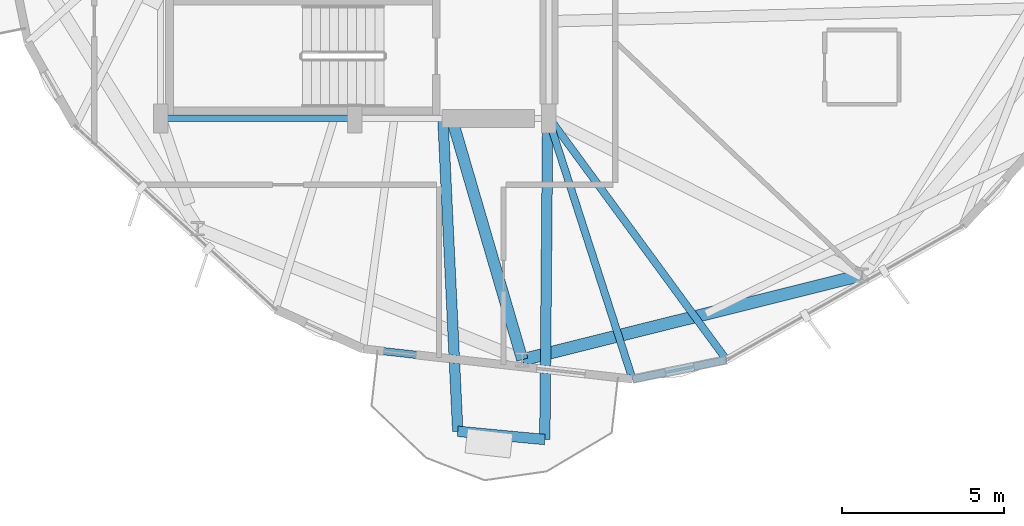
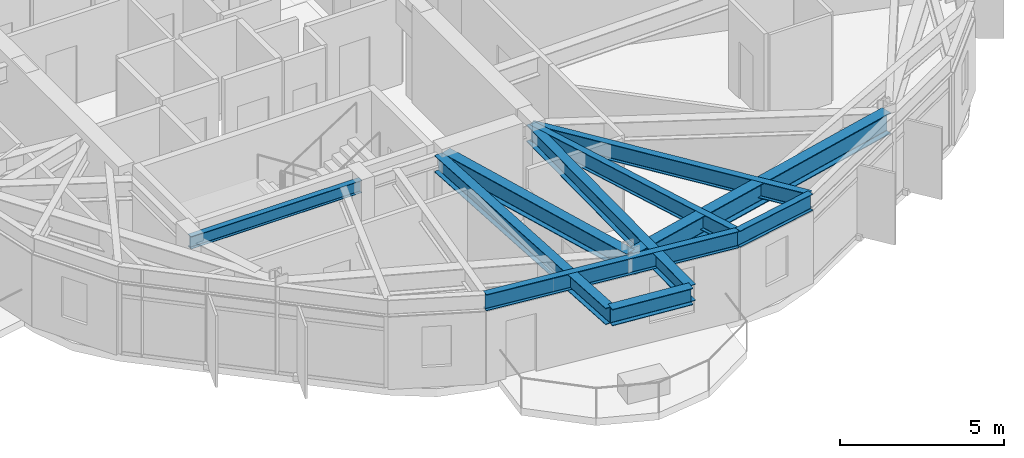
# One storey, part 4 of 22: 10 beams.
"""IFC4 building model written with IfcOpenShell, lengths in metres."""

from ifc_helpers import new_model, si_unit, direction, frame, origin, origin_2d, place, context, subcontext, project, spatial, i_section, extrude, material, material_profile, profile_set, type_object, element, save


model = new_model("IFC4")

# Units and contexts
model_context = context("Model", 3, precision=1e-05, world=origin(), true_north=direction((0.0, 1.0)))
body_context = subcontext(model_context, "Body", "Model", "MODEL_VIEW")
ifc_project = project(units=[si_unit("LENGTHUNIT", "METRE"), si_unit("AREAUNIT", "SQUARE_METRE"), si_unit("VOLUMEUNIT", "CUBIC_METRE"), si_unit("PLANEANGLEUNIT", "RADIAN"), si_unit("MASSUNIT", "GRAM", prefix="KILO")], contexts=[model_context])

# Site, building, storey
site_placement = place(None, origin())
site = spatial("IfcSite", under=ifc_project, at=site_placement, CompositionType="ELEMENT")
building_placement = place(site_placement, origin())
building = spatial("IfcBuilding", under=site, at=building_placement, Name="Soratama Intermodal Tower", CompositionType="ELEMENT")
storey_placement = place(building_placement, frame((0.0, 0.0, 142.60009765625)))
storey = spatial("IfcBuildingStorey", under=building, at=storey_placement, Name="L34", CompositionType="ELEMENT", Elevation=142.60009765625)

# Beams
ifc_material_1 = material(Name="Structural steel ASTM A992 Grade 50", Category="steel")
ifc_material_profile_1 = material_profile(ifc_material_1, i_section(OverallWidth=0.324951171875, OverallDepth=0.615966796875, WebThickness=0.013916015625, FlangeThickness=0.021484375, FilletRadius=0.013916015625, at=origin_2d()), Name="W24X117")
ifc_profile_set_1 = profile_set([ifc_material_profile_1], Name="Structural steel ASTM A992 Grade 50")
beam_type_1 = type_object("IfcBeamType", Name="BM-CANT-W24X117", PredefinedType="BEAM", material=ifc_profile_set_1)
beam_1_placement = place(storey_placement, frame((41.783935546875, 5.3310546875, 2.991943359375), z_axis=(0.995567060499, -0.094054388781, 0.0), x_axis=(0.094054388781, 0.995567060499, 0.0)))
element("IfcBeam", 1, at=beam_1_placement, inside=storey, type_object=beam_type_1, Name="BM-L34-CBHDR-4", PredefinedType="BEAM", context=body_context, shape_type="SweptSolid", body=[
    extrude(i_section(OverallWidth=0.324951171875, OverallDepth=0.615966796875, WebThickness=0.013916015625, FlangeThickness=0.021484375, FilletRadius=0.013916015625, at=origin_2d()), origin(), (0.0, 0.0, 1.0), 2.7021484375),
])
beam_2_placement = place(storey_placement, frame((41.326904296875, 14.9599609375, 2.991943359375), z_axis=(0.04741112732, -0.998875460208, 0.0), x_axis=(0.998875460208, 0.04741112732, 0.0)))
element("IfcBeam", 2, at=beam_2_placement, inside=storey, type_object=beam_type_1, Name="BM-L34-CANT-4-1", PredefinedType="BEAM", context=body_context, shape_type="SweptSolid", body=[
    extrude(i_section(OverallWidth=0.324951171875, OverallDepth=0.615966796875, WebThickness=0.013916015625, FlangeThickness=0.021484375, FilletRadius=0.013916015625, at=origin_2d()), origin(), (0.0, 0.0, 1.0), 9.6396484375),
])
beam_3_placement = place(storey_placement, frame((44.56201171875, 14.9599609375, 2.991943359375), z_axis=(-0.008892709302, -0.999960459079, 0.0), x_axis=(0.999960459079, -0.008892709302, 0.0)))
element("IfcBeam", 3, at=beam_3_placement, inside=storey, type_object=beam_type_1, Name="BM-L34-CANT-4-2", PredefinedType="BEAM", context=body_context, shape_type="SweptSolid", body=[
    extrude(i_section(OverallWidth=0.324951171875, OverallDepth=0.615966796875, WebThickness=0.013916015625, FlangeThickness=0.021484375, FilletRadius=0.013916015625, at=origin_2d()), origin(), (0.0, 0.0, 1.0), 9.883544921875),
])
ifc_material_2 = material(Name="Structural steel ASTM A992 Grade 50", Category="steel")
ifc_material_profile_2 = material_profile(ifc_material_2, i_section(OverallWidth=0.19091796875, OverallDepth=0.4599609375, WebThickness=0.010009765625, FlangeThickness=0.01611328125, FilletRadius=0.010986328125, at=origin_2d()), Name="W18X55")
ifc_profile_set_2 = profile_set([ifc_material_profile_2], Name="Structural steel ASTM A992 Grade 50")
beam_type_2 = type_object("IfcBeamType", Name="BM-FLR-W18X55", PredefinedType="BEAM", material=ifc_profile_set_2)
beam_4_placement = place(storey_placement, frame((32.60009765625, 15.0, 3.06982421875), z_axis=(1.0, 0.0, 0.0), x_axis=(0.0, 1.0, 0.0)))
element("IfcBeam", 4, at=beam_4_placement, inside=storey, type_object=beam_type_2, Name="BM-L34-CRING-01", PredefinedType="BEAM", context=body_context, shape_type="SweptSolid", body=[
    extrude(i_section(OverallWidth=0.19091796875, OverallDepth=0.4599609375, WebThickness=0.010009765625, FlangeThickness=0.01611328125, FilletRadius=0.010986328125, at=origin_2d()), origin(), (0.0, 0.0, 1.0), 6.0),
])
ifc_material_3 = material(Name="Structural steel ASTM A992 Grade 50", Category="steel")
ifc_material_profile_3 = material_profile(ifc_material_3, i_section(OverallWidth=0.35498046875, OverallDepth=0.695068359375, WebThickness=0.015380859375, FlangeThickness=0.02490234375, FilletRadius=0.01611328125, at=origin_2d()), Name="W27X146")
ifc_profile_set_3 = profile_set([ifc_material_profile_3], Name="Structural steel ASTM A992 Grade 50")
beam_type_3 = type_object("IfcBeamType", Name="BM-RING-W27X146", PredefinedType="BEAM", material=ifc_profile_set_3)
beam_5_placement = place(storey_placement, frame((41.60009765625, 15.0, 2.952392578125), z_axis=(0.280473008484, -0.959861912731, 0.0), x_axis=(0.959861912731, 0.280473008484, 0.0)))
element("IfcBeam", 5, at=beam_5_placement, inside=storey, type_object=beam_type_3, Name="BM-L34-RAD-08", PredefinedType="BEAM", context=body_context, shape_type="SweptSolid", body=[
    extrude(i_section(OverallWidth=0.35498046875, OverallDepth=0.695068359375, WebThickness=0.015380859375, FlangeThickness=0.02490234375, FilletRadius=0.01611328125, at=origin_2d()), origin(), (0.0, 0.0, 1.0), 7.768798828125),
])
ifc_material_4 = material(Name="Structural steel ASTM A992 Grade 50", Category="steel")
ifc_material_profile_4 = material_profile(ifc_material_4, i_section(OverallWidth=0.382080078125, OverallDepth=0.779052734375, WebThickness=0.01806640625, FlangeThickness=0.030029296875, FilletRadius=0.01806640625, at=origin_2d()), Name="W30X191")
ifc_profile_set_4 = profile_set([ifc_material_profile_4], Name="Structural steel ASTM A992 Grade 50")
beam_type_4 = type_object("IfcBeamType", Name="BM-RING-W30X191", PredefinedType="BEAM", material=ifc_profile_set_4)
beam_6_placement = place(storey_placement, frame((43.779052734375, 7.54296875, 2.910400390625), z_axis=(0.970310893227, 0.241861056155, 0.0), x_axis=(-0.241861056155, 0.970310893227, 0.0)))
element("IfcBeam", 6, at=beam_6_placement, inside=storey, type_object=beam_type_4, Name="BM-L34-RING-08", PredefinedType="BEAM", context=body_context, shape_type="SweptSolid", body=[
    extrude(i_section(OverallWidth=0.382080078125, OverallDepth=0.779052734375, WebThickness=0.01806640625, FlangeThickness=0.030029296875, FilletRadius=0.01806640625, at=origin_2d()), origin(), (0.0, 0.0, 1.0), 10.81591796875),
])
ifc_material_5 = material(Name="Structural steel ASTM A992 Grade 50", Category="steel")
ifc_material_profile_5 = material_profile(ifc_material_5, i_section(OverallWidth=0.22900390625, OverallDepth=0.612060546875, WebThickness=0.011962890625, FlangeThickness=0.01953125, FilletRadius=0.012939453125, at=origin_2d()), Name="W24X84")
ifc_profile_set_5 = profile_set([ifc_material_profile_5], Name="Structural steel ASTM A992 Grade 50")
beam_type_5 = type_object("IfcBeamType", Name="BM-SPN-W24X84", PredefinedType="SPANDREL", material=ifc_profile_set_5)
beam_7_placement = place(storey_placement, frame((38.85498046875, 7.87890625, 2.993896484375), z_axis=(0.993721445063, -0.111882481301, 0.0), x_axis=(0.111882481301, 0.993721445063, 0.0)))
element("IfcBeam", 7, at=beam_7_placement, inside=storey, type_object=beam_type_5, Name="BS-L34-F07", PredefinedType="SPANDREL", context=body_context, shape_type="SweptSolid", body=[
    extrude(i_section(OverallWidth=0.22900390625, OverallDepth=0.612060546875, WebThickness=0.011962890625, FlangeThickness=0.01953125, FilletRadius=0.012939453125, at=origin_2d()), origin(), (0.0, 0.0, 1.0), 8.3837890625),
])
beam_8_placement = place(storey_placement, frame((47.18603515625, 6.94091796875, 2.993896484375), z_axis=(0.97959688483, 0.20097249372, 0.0), x_axis=(-0.20097249372, 0.97959688483, 0.0)))
element("IfcBeam", 8, at=beam_8_placement, inside=storey, type_object=beam_type_5, Name="BS-L34-CRN07", PredefinedType="SPANDREL", context=body_context, shape_type="SweptSolid", body=[
    extrude(i_section(OverallWidth=0.22900390625, OverallDepth=0.612060546875, WebThickness=0.011962890625, FlangeThickness=0.01953125, FilletRadius=0.012939453125, at=origin_2d()), origin(), (0.0, 0.0, 1.0), 2.966552734375),
])
ifc_material_6 = material(Name="Structural steel ASTM A992 Grade 50", Category="steel")
ifc_material_profile_6 = material_profile(ifc_material_6, i_section(OverallWidth=0.22900390625, OverallDepth=0.612060546875, WebThickness=0.011962890625, FlangeThickness=0.01953125, FilletRadius=0.012939453125, at=origin_2d()), Name="W24X84")
ifc_profile_set_6 = profile_set([ifc_material_profile_6], Name="Structural steel ASTM A992 Grade 50")
beam_type_6 = type_object("IfcBeamType", Name="BM-TIE-W24X84", PredefinedType="BEAM", material=ifc_profile_set_6)
beam_9_placement = place(storey_placement, frame((44.594970703125, 14.9619140625, 2.993896484375), z_axis=(0.307394572761, -0.951582143925, 0.0), x_axis=(0.951582143925, 0.307394572761, 0.0)))
element("IfcBeam", 9, at=beam_9_placement, inside=storey, type_object=beam_type_6, Name="BM-L34-TIE1-07", PredefinedType="BEAM", context=body_context, shape_type="SweptSolid", body=[
    extrude(i_section(OverallWidth=0.22900390625, OverallDepth=0.612060546875, WebThickness=0.011962890625, FlangeThickness=0.01953125, FilletRadius=0.012939453125, at=origin_2d()), origin(), (0.0, 0.0, 1.0), 8.42919921875),
])
beam_10_placement = place(storey_placement, frame((44.6240234375, 14.992919921875, 2.993896484375), z_axis=(0.591393426118, -0.806383169185, 0.0), x_axis=(0.806383169185, 0.591393426118, 0.0)))
element("IfcBeam", 10, at=beam_10_placement, inside=storey, type_object=beam_type_6, Name="BM-L34-TIE0-08", PredefinedType="BEAM", context=body_context, shape_type="SweptSolid", body=[
    extrude(i_section(OverallWidth=0.22900390625, OverallDepth=0.612060546875, WebThickness=0.011962890625, FlangeThickness=0.01953125, FilletRadius=0.012939453125, at=origin_2d()), origin(), (0.0, 0.0, 1.0), 9.24609375),
])

save(model, "model.ifc")
